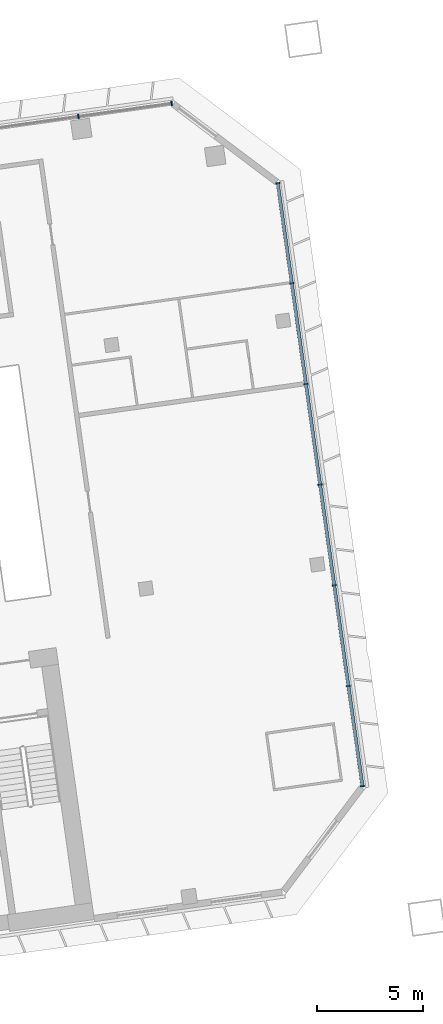
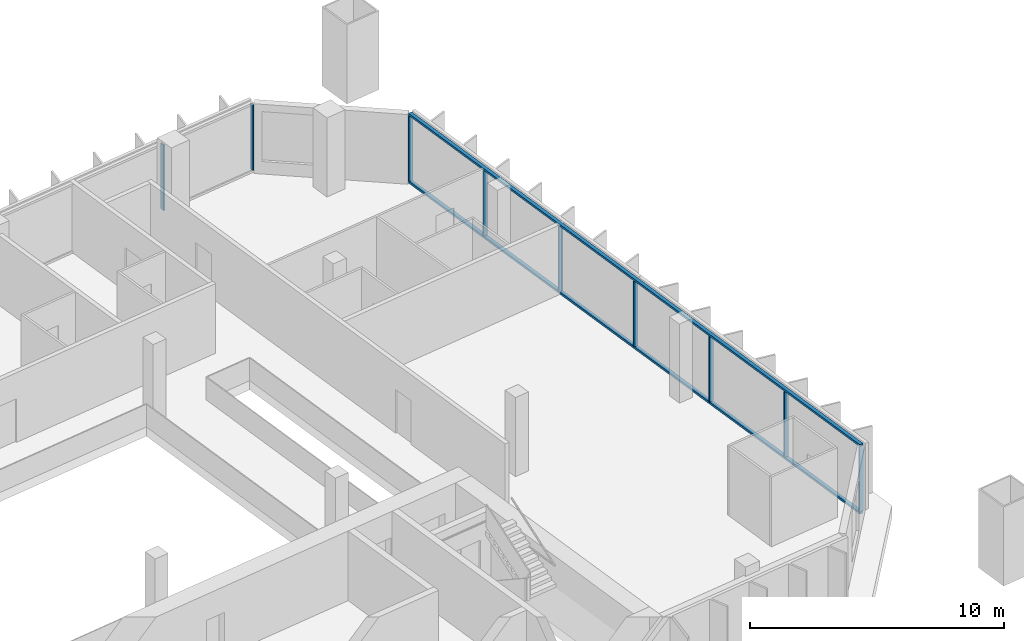
# One storey, part 11 of 25: 11 members, 2 elements without a shape of their own.
"""IFC4 building model written with IfcOpenShell, lengths in metres."""

from ifc_helpers import new_model, si_unit, direction, frame, origin, origin_2d, place, context, subcontext, project, spatial, rectangle, extrude, material, material_profile, profile_set, type_object, element, aggregate, save


model = new_model("IFC4")

# Units and contexts
model_context = context("Model", 3, precision=1e-05, world=origin(), true_north=direction((0.0, 1.0)))
body_context = subcontext(model_context, "Body", "Model", "MODEL_VIEW")
ifc_project = project(units=[si_unit("LENGTHUNIT", "METRE"), si_unit("AREAUNIT", "SQUARE_METRE"), si_unit("VOLUMEUNIT", "CUBIC_METRE"), si_unit("PLANEANGLEUNIT", "RADIAN"), si_unit("MASSUNIT", "GRAM", prefix="KILO")], contexts=[model_context])

# Site, building, storey
site_placement = place(None, origin())
site = spatial("IfcSite", under=ifc_project, at=site_placement, CompositionType="ELEMENT")
building_placement = place(site_placement, origin())
building = spatial("IfcBuilding", under=site, at=building_placement, Name="Mirante Cascada Hotel Towers", CompositionType="ELEMENT")
storey_placement = place(building_placement, frame((0.0, 0.0, 129.1)))
storey = spatial("IfcBuildingStorey", under=building, at=storey_placement, Name="L29", CompositionType="ELEMENT", Elevation=129.1)

# Curtain wall, members
ifc_material_1 = material(Name="Aluminium mullion and transom frame with clear laminated glass", Category="aluminium")
curtain_wall_type_1 = type_object("IfcCurtainWallType", Name="Ribbon curtain wall ECW1", PredefinedType="NOTDEFINED", material=ifc_material_1)
curtain_wall_1_placement = place(storey_placement, origin())
curtain_wall_1 = element("IfcCurtainWall", 1, at=curtain_wall_1_placement, inside=storey, type_object=curtain_wall_type_1, Name="Front ribbon wall T2 L29", PredefinedType="NOTDEFINED")
ifc_material_2 = material(Name="Anodised aluminium extrusion", Category="aluminium")
ifc_material_profile_1 = material_profile(ifc_material_2, rectangle(XDim=0.2, YDim=0.065, at=origin_2d()), Name="ECW1 MULLION 65x200")
ifc_profile_set_1 = profile_set([ifc_material_profile_1], Name="Anodised aluminium extrusion")
member_type_1 = type_object("IfcMemberType", Name="ECW1 mullion 65x200", PredefinedType="MULLION", material=ifc_profile_set_1)
member_1_placement = place(storey_placement, frame((94.126, 26.0476, 0.1), z_axis=(0.0, 0.0, 1.0), x_axis=(0.1391731, -0.9902681, 0.0)))
member_1 = element("IfcMember", 2, at=member_1_placement, type_object=member_type_1, Name="ECW1 mullion 1", PredefinedType="MULLION", context=body_context, shape_type="SweptSolid", body=[
    extrude(rectangle(XDim=0.2, YDim=0.065, at=origin_2d()), origin(), (0.0, 0.0, 1.0), 3.15),
])
member_2_placement = place(storey_placement, frame((89.7107, 25.427, 0.1), z_axis=(0.0, 0.0, 1.0), x_axis=(0.1391731, -0.9902681, 0.0)))
member_2 = element("IfcMember", 3, at=member_2_placement, type_object=member_type_1, Name="ECW1 mullion 2", PredefinedType="MULLION", context=body_context, shape_type="SweptSolid", body=[
    extrude(rectangle(XDim=0.2, YDim=0.065, at=origin_2d()), origin(), (0.0, 0.0, 1.0), 3.15),
])
aggregate(curtain_wall_1, [member_1, member_2])

ifc_material_3 = material(Name="Aluminium mullion and transom frame with clear laminated glass", Category="aluminium")
curtain_wall_type_2 = type_object("IfcCurtainWallType", Name="End ribbon curtain wall ECW2", PredefinedType="NOTDEFINED", material=ifc_material_3)
curtain_wall_2_placement = place(storey_placement, origin())
curtain_wall_2 = element("IfcCurtainWall", 4, at=curtain_wall_2_placement, inside=storey, type_object=curtain_wall_type_2, Name="Outer end wall T2 L29", PredefinedType="NOTDEFINED")
ifc_material_4 = material(Name="Anodised aluminium extrusion", Category="aluminium")
ifc_material_profile_2 = material_profile(ifc_material_4, rectangle(XDim=0.2, YDim=0.065, at=origin_2d()), Name="ECW2 MULLION 65x200")
ifc_profile_set_2 = profile_set([ifc_material_profile_2], Name="Anodised aluminium extrusion")
member_type_2 = type_object("IfcMemberType", Name="ECW2 mullion 65x200", PredefinedType="MULLION", material=ifc_profile_set_2)
member_3_placement = place(storey_placement, frame((103.1556, -6.2656, 0.1), z_axis=(0.0, 0.0, 1.0), x_axis=(-0.9902681, -0.1391731, 0.0)))
member_3 = element("IfcMember", 5, at=member_3_placement, type_object=member_type_2, Name="ECW2 mullion 1", PredefinedType="MULLION", context=body_context, shape_type="SweptSolid", body=[
    extrude(rectangle(XDim=0.2, YDim=0.065, at=origin_2d()), origin(), (0.0, 0.0, 1.0), 3.15),
])
member_4_placement = place(storey_placement, frame((102.4903, -1.532, 0.1), z_axis=(0.0, 0.0, 1.0), x_axis=(-0.9902681, -0.1391731, 0.0)))
member_4 = element("IfcMember", 6, at=member_4_placement, type_object=member_type_2, Name="ECW2 mullion 2", PredefinedType="MULLION", context=body_context, shape_type="SweptSolid", body=[
    extrude(rectangle(XDim=0.2, YDim=0.065, at=origin_2d()), origin(), (0.0, 0.0, 1.0), 3.15),
])
member_5_placement = place(storey_placement, frame((101.8205, 3.2338, 0.1), z_axis=(0.0, 0.0, 1.0), x_axis=(-0.9902681, -0.1391731, 0.0)))
member_5 = element("IfcMember", 7, at=member_5_placement, type_object=member_type_2, Name="ECW2 mullion 3", PredefinedType="MULLION", context=body_context, shape_type="SweptSolid", body=[
    extrude(rectangle(XDim=0.2, YDim=0.065, at=origin_2d()), origin(), (0.0, 0.0, 1.0), 3.15),
])
member_6_placement = place(storey_placement, frame((101.1508, 7.9996, 0.1), z_axis=(0.0, 0.0, 1.0), x_axis=(-0.9902681, -0.1391731, 0.0)))
member_6 = element("IfcMember", 8, at=member_6_placement, type_object=member_type_2, Name="ECW2 mullion 4", PredefinedType="MULLION", context=body_context, shape_type="SweptSolid", body=[
    extrude(rectangle(XDim=0.2, YDim=0.065, at=origin_2d()), origin(), (0.0, 0.0, 1.0), 3.15),
])
member_7_placement = place(storey_placement, frame((100.481, 12.7654, 0.1), z_axis=(0.0, 0.0, 1.0), x_axis=(-0.9902681, -0.1391731, 0.0)))
member_7 = element("IfcMember", 9, at=member_7_placement, type_object=member_type_2, Name="ECW2 mullion 5", PredefinedType="MULLION", context=body_context, shape_type="SweptSolid", body=[
    extrude(rectangle(XDim=0.2, YDim=0.065, at=origin_2d()), origin(), (0.0, 0.0, 1.0), 3.15),
])
member_8_placement = place(storey_placement, frame((99.8112, 17.5312, 0.1), z_axis=(0.0, 0.0, 1.0), x_axis=(-0.9902681, -0.1391731, 0.0)))
member_8 = element("IfcMember", 10, at=member_8_placement, type_object=member_type_2, Name="ECW2 mullion 6", PredefinedType="MULLION", context=body_context, shape_type="SweptSolid", body=[
    extrude(rectangle(XDim=0.2, YDim=0.065, at=origin_2d()), origin(), (0.0, 0.0, 1.0), 3.15),
])
member_9_placement = place(storey_placement, frame((99.1459, 22.2648, 0.1), z_axis=(0.0, 0.0, 1.0), x_axis=(-0.9902681, -0.1391731, 0.0)))
member_9 = element("IfcMember", 11, at=member_9_placement, type_object=member_type_2, Name="ECW2 mullion 7", PredefinedType="MULLION", context=body_context, shape_type="SweptSolid", body=[
    extrude(rectangle(XDim=0.2, YDim=0.065, at=origin_2d()), origin(), (0.0, 0.0, 1.0), 3.15),
])
ifc_material_5 = material(Name="Anodised aluminium extrusion", Category="aluminium")
ifc_material_profile_3 = material_profile(ifc_material_5, rectangle(XDim=0.16, YDim=0.1, at=origin_2d()), Name="ECW2 TRANSOM 100x160")
ifc_profile_set_3 = profile_set([ifc_material_profile_3], Name="Anodised aluminium extrusion")
member_type_3 = type_object("IfcMemberType", Name="ECW2 transom 100x160", PredefinedType="USERDEFINED", material=ifc_profile_set_3)
member_10_placement = place(storey_placement, frame((103.1601, -6.2978, 0.05), z_axis=(-0.1391723, 0.9902682, 0.0), x_axis=(-0.9902682, -0.1391723, 0.0)))
member_10 = element("IfcMember", 12, at=member_10_placement, type_object=member_type_3, Name="ECW2 sill transom", ObjectType="TRANSOM", PredefinedType="USERDEFINED", context=body_context, shape_type="SweptSolid", body=[
    extrude(rectangle(XDim=0.16, YDim=0.1, at=origin_2d()), origin(), (0.0, 0.0, 1.0), 28.8757),
])
member_11_placement = place(storey_placement, frame((103.1601, -6.2978, 3.3), z_axis=(-0.1391723, 0.9902682, 0.0), x_axis=(-0.9902682, -0.1391723, 0.0)))
member_11 = element("IfcMember", 13, at=member_11_placement, type_object=member_type_3, Name="ECW2 head transom", ObjectType="TRANSOM", PredefinedType="USERDEFINED", context=body_context, shape_type="SweptSolid", body=[
    extrude(rectangle(XDim=0.16, YDim=0.1, at=origin_2d()), origin(), (0.0, 0.0, 1.0), 28.8757),
])
aggregate(curtain_wall_2, [member_10, member_11, member_3, member_4, member_5, member_6, member_7, member_8, member_9])

save(model, "model.ifc")
